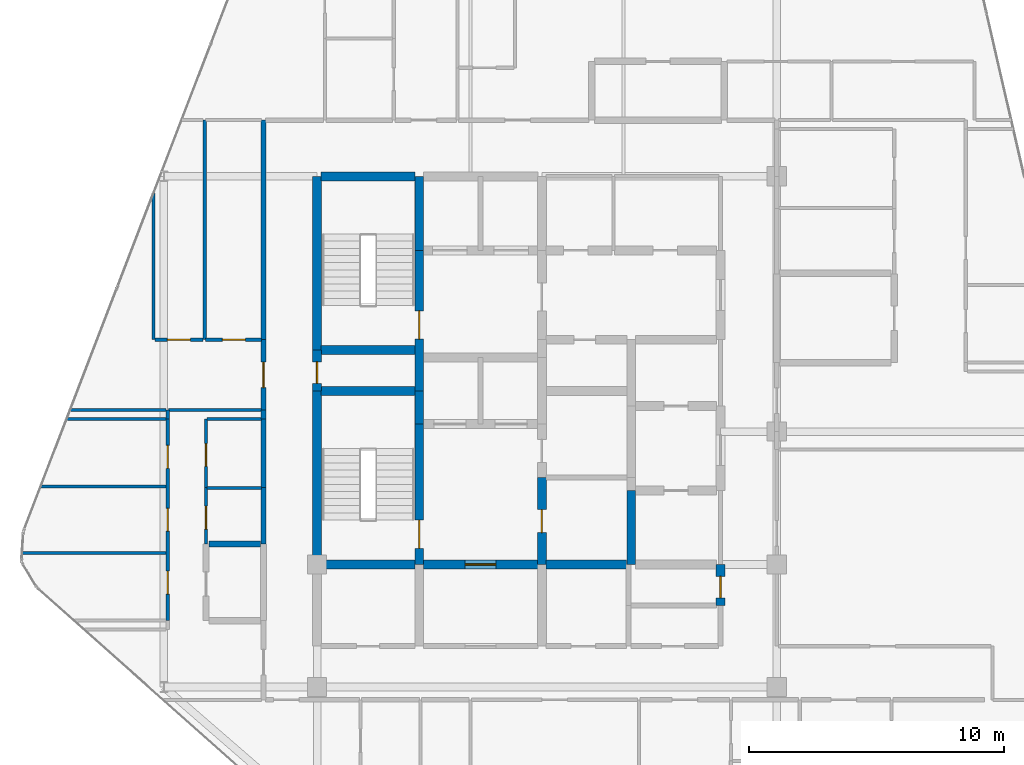
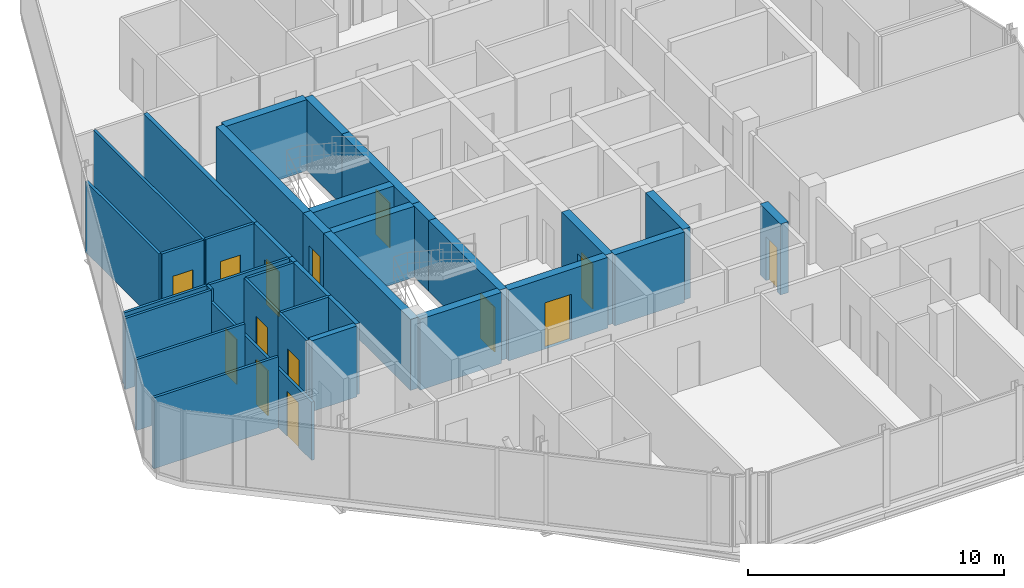
# One storey, part 26 of 31: 37 walls, 14 doors, 14 openings.
"""IFC4 building model written with IfcOpenShell, lengths in metres."""

from ifc_helpers import new_model, si_unit, direction, frame, frame_2d, origin, place, context, subcontext, project, spatial, rectangle, extrude, material, layer, layer_set, type_object, element, fill, save


model = new_model("IFC4")

# Units and contexts
model_context = context("Model", 3, precision=1e-05, world=origin(), true_north=direction((0.0, 1.0)))
body_context = subcontext(model_context, "Body", "Model", "MODEL_VIEW")
ifc_project = project(units=[si_unit("LENGTHUNIT", "METRE"), si_unit("AREAUNIT", "SQUARE_METRE"), si_unit("VOLUMEUNIT", "CUBIC_METRE"), si_unit("PLANEANGLEUNIT", "RADIAN"), si_unit("MASSUNIT", "GRAM", prefix="KILO")], contexts=[model_context])

# Site, building, storey
site_placement = place(None, origin())
site = spatial("IfcSite", under=ifc_project, at=site_placement, CompositionType="ELEMENT")
building_placement = place(site_placement, origin())
building = spatial("IfcBuilding", under=site, at=building_placement, Name="Keshet Zoharim Tower", CompositionType="ELEMENT")
storey_placement = place(building_placement, frame((0.0, 0.0, 276.89990234375)))
storey = spatial("IfcBuildingStorey", under=building, at=storey_placement, Name="L69", CompositionType="ELEMENT", Elevation=276.89990234375)

# Wall
ifc_material_1 = material(Name="Concrete C60/75", Category="concrete")
ifc_layer_1 = layer(ifc_material_1, 0.35009765625)
ifc_layer_set_1 = layer_set([ifc_layer_1], Name="Concrete C60/75")
wall_type_1 = type_object("IfcWallType", Name="WL-CORE-350", PredefinedType="SHEAR", material=ifc_layer_set_1)
wall_1_placement = place(storey_placement, frame((15.0, 22.699951171875, 0.0), z_axis=(0.0, 0.0, 1.0), x_axis=(0.0, 1.0, 0.0)))
element("IfcWall", 1, at=wall_1_placement, inside=storey, type_object=wall_type_1, Name="L69 Core Shear Wall 017", PredefinedType="SHEAR", context=body_context, shape_type="SweptSolid", body=[
    extrude(rectangle(XDim=6.800048828125, YDim=0.35009765625, at=frame_2d((3.39990234375, 0.0))), origin(), (0.0, 0.0, 1.0), 3.39013671875),
])

# Wall, opening, door
wall_2_placement = place(storey_placement, frame((15.0, 29.5, 0.0), z_axis=(0.0, 0.0, 1.0), x_axis=(0.0, 1.0, 0.0)))
wall_2 = element("IfcWall", 2, at=wall_2_placement, inside=storey, type_object=wall_type_1, Name="L69 Core Shear Wall 018", PredefinedType="SHEAR", context=body_context, shape_type="SweptSolid", body=[
    extrude(rectangle(XDim=1.60009765625, YDim=0.35009765625, at=frame_2d((0.800048828125, 0.0))), origin(), (0.0, 0.0, 1.0), 3.39013671875),
])
opening_1_placement = place(wall_2_placement, frame((0.287109375, 0.0, 0.0)))
opening_1 = element("IfcOpeningElement", 3, at=opening_1_placement, cuts=wall_2, Name="Opening D-RS85", PredefinedType="OPENING", context=body_context, shape_type="SweptSolid", body=[
    extrude(rectangle(XDim=0.85009765625, YDim=2.10009765625, at=frame_2d((0.425048828125, 1.050048828125))), frame((0.0, 0.18505859375, 0.0), z_axis=(0.0, -1.0, 0.0), x_axis=(1.0, 0.0, 0.0)), (0.0, 0.0, 1.0), 0.3701171875),
])
ifc_material_2 = material(Name="Hardwood Timber", Category="wood")
door_type_1 = type_object("IfcDoorType", Name="DR-RIS-085", OperationType="NOTDEFINED", PredefinedType="DOOR", material=ifc_material_2)
door_1_placement = place(opening_1_placement, origin())
door_1 = element("IfcDoor", 4, at=door_1_placement, inside=storey, type_object=door_type_1, Name="L69 Electrical Riser Access Cupboard Door", OperationType="SINGLE_SWING_RIGHT", OverallHeight=2.10009765625, OverallWidth=0.85009765625, PredefinedType="DOOR", context=body_context, shape_type="SweptSolid", body=[
    extrude(rectangle(XDim=0.85009765625, YDim=2.10009765625, at=frame_2d((0.425048828125, 1.050048828125))), frame((0.0, 0.02490234375, 0.0), z_axis=(0.0, -1.0, 0.0), x_axis=(1.0, 0.0, 0.0)), (0.0, 0.0, 1.0), 0.050048828125),
])
fill(opening_1, door_1)

# Wall
wall_3_placement = place(storey_placement, frame((15.0, 31.10009765625, 0.0), z_axis=(0.0, 0.0, 1.0), x_axis=(0.0, 1.0, 0.0)))
element("IfcWall", 5, at=wall_3_placement, inside=storey, type_object=wall_type_1, Name="L69 Core Shear Wall 019", PredefinedType="SHEAR", context=body_context, shape_type="SweptSolid", body=[
    extrude(rectangle(XDim=6.7998046875, YDim=0.35009765625, at=frame_2d((3.39990234375, 0.0))), origin(), (0.0, 0.0, 1.0), 3.39013671875),
])

# Wall, opening, door
wall_4_placement = place(storey_placement, frame((19.0, 22.699951171875, 0.0), z_axis=(0.0, 0.0, 1.0), x_axis=(0.0, 1.0, 0.0)))
wall_4 = element("IfcWall", 6, at=wall_4_placement, inside=storey, type_object=wall_type_1, Name="L69 Core Shear Wall 027", PredefinedType="SHEAR", context=body_context, shape_type="SweptSolid", body=[
    extrude(rectangle(XDim=5.5, YDim=0.35009765625, at=frame_2d((2.75, 0.0))), origin(), (0.0, 0.0, 1.0), 3.39013671875),
])
opening_2_placement = place(wall_4_placement, frame((0.631103515625, 0.0, 0.0)))
opening_2 = element("IfcOpeningElement", 7, at=opening_2_placement, cuts=wall_4, Name="Opening D-F611", PredefinedType="OPENING", context=body_context, shape_type="SweptSolid", body=[
    extrude(rectangle(XDim=1.10009765625, YDim=2.14990234375, at=frame_2d((0.550048828125, 1.074951171875))), frame((0.0, 0.18505859375, 0.0), z_axis=(0.0, -1.0, 0.0), x_axis=(1.0, 0.0, 0.0)), (0.0, 0.0, 1.0), 0.3701171875),
])
door_type_2 = type_object("IfcDoorType", Name="DR-FD60-110", OperationType="NOTDEFINED", PredefinedType="DOOR", material=ifc_material_2)
door_2_placement = place(opening_2_placement, origin())
door_2 = element("IfcDoor", 8, at=door_2_placement, inside=storey, type_object=door_type_2, Name="L69 Exit Stair ST-01 Fire Door", OperationType="SINGLE_SWING_RIGHT", OverallHeight=2.14990234375, OverallWidth=1.10009765625, PredefinedType="DOOR", context=body_context, shape_type="SweptSolid", body=[
    extrude(rectangle(XDim=1.10009765625, YDim=2.14990234375, at=frame_2d((0.550048828125, 1.074951171875))), frame((0.0, 0.02490234375, 0.0), z_axis=(0.0, -1.0, 0.0), x_axis=(1.0, 0.0, 0.0)), (0.0, 0.0, 1.0), 0.050048828125),
])
fill(opening_2, door_2)

# Wall
wall_5_placement = place(storey_placement, frame((19.0, 28.199951171875, 0.0), z_axis=(0.0, 0.0, 1.0), x_axis=(0.0, 1.0, 0.0)))
element("IfcWall", 9, at=wall_5_placement, inside=storey, type_object=wall_type_1, Name="L69 Core Shear Wall 028", PredefinedType="SHEAR", context=body_context, shape_type="SweptSolid", body=[
    extrude(rectangle(XDim=1.300048828125, YDim=0.35009765625, at=frame_2d((0.64990234375, 0.0))), origin(), (0.0, 0.0, 1.0), 3.39013671875),
])

# Wall, opening, door
wall_6_placement = place(storey_placement, frame((19.0, 29.5, 0.0), z_axis=(0.0, 0.0, 1.0), x_axis=(0.0, 1.0, 0.0)))
wall_6 = element("IfcWall", 10, at=wall_6_placement, inside=storey, type_object=wall_type_1, Name="L69 Core Shear Wall 029", PredefinedType="SHEAR", context=body_context, shape_type="SweptSolid", body=[
    extrude(rectangle(XDim=5.5, YDim=0.35009765625, at=frame_2d((2.75, 0.0))), origin(), (0.0, 0.0, 1.0), 3.39013671875),
])
opening_3_placement = place(wall_6_placement, frame((2.02490234375, 0.0, 0.0)))
opening_3 = element("IfcOpeningElement", 11, at=opening_3_placement, cuts=wall_6, Name="Opening D-F611", PredefinedType="OPENING", context=body_context, shape_type="SweptSolid", body=[
    extrude(rectangle(XDim=1.10009765625, YDim=2.14990234375, at=frame_2d((0.550048828125, 1.074951171875))), frame((0.0, 0.18505859375, 0.0), z_axis=(0.0, -1.0, 0.0), x_axis=(1.0, 0.0, 0.0)), (0.0, 0.0, 1.0), 0.3701171875),
])
door_3_placement = place(opening_3_placement, origin())
door_3 = element("IfcDoor", 12, at=door_3_placement, inside=storey, type_object=door_type_2, Name="L69 Exit Stair ST-02 Fire Door", OperationType="SINGLE_SWING_LEFT", OverallHeight=2.14990234375, OverallWidth=1.10009765625, PredefinedType="DOOR", context=body_context, shape_type="SweptSolid", body=[
    extrude(rectangle(XDim=1.10009765625, YDim=2.14990234375, at=frame_2d((0.550048828125, 1.074951171875))), frame((0.0, 0.02490234375, 0.0), z_axis=(0.0, -1.0, 0.0), x_axis=(1.0, 0.0, 0.0)), (0.0, 0.0, 1.0), 0.050048828125),
])
fill(opening_3, door_3)

# Wall
wall_7_placement = place(storey_placement, frame((19.0, 35.0, 0.0), z_axis=(0.0, 0.0, 1.0), x_axis=(0.0, 1.0, 0.0)))
element("IfcWall", 13, at=wall_7_placement, inside=storey, type_object=wall_type_1, Name="L69 Core Shear Wall 030", PredefinedType="SHEAR", context=body_context, shape_type="SweptSolid", body=[
    extrude(rectangle(XDim=2.89990234375, YDim=0.35009765625, at=frame_2d((1.449951171875, 0.0))), origin(), (0.0, 0.0, 1.0), 3.39013671875),
])

# Wall, opening, door
wall_8_placement = place(storey_placement, frame((23.800048828125, 22.699951171875, 0.0), z_axis=(0.0, 0.0, 1.0), x_axis=(0.0, 1.0, 0.0)))
wall_8 = element("IfcWall", 14, at=wall_8_placement, inside=storey, type_object=wall_type_1, Name="L69 Core Shear Wall 041", PredefinedType="SHEAR", context=body_context, shape_type="SweptSolid", body=[
    extrude(rectangle(XDim=3.400146484375, YDim=0.35009765625, at=frame_2d((1.7001953125, 0.0))), origin(), (0.0, 0.0, 1.0), 3.39013671875),
])
opening_4_placement = place(wall_8_placement, frame((1.25, 0.0, 0.0)))
opening_4 = element("IfcOpeningElement", 15, at=opening_4_placement, cuts=wall_8, Name="Opening D-F690", PredefinedType="OPENING", context=body_context, shape_type="SweptSolid", body=[
    extrude(rectangle(XDim=0.89990234375, YDim=2.14990234375, at=frame_2d((0.449951171875, 1.074951171875))), frame((0.0, 0.18505859375, 0.0), z_axis=(0.0, -1.0, 0.0), x_axis=(1.0, 0.0, 0.0)), (0.0, 0.0, 1.0), 0.3701171875),
])
door_type_3 = type_object("IfcDoorType", Name="DR-FD60-090", OperationType="NOTDEFINED", PredefinedType="DOOR", material=ifc_material_2)
door_4_placement = place(opening_4_placement, origin())
door_4 = element("IfcDoor", 16, at=door_4_placement, inside=storey, type_object=door_type_3, Name="L69 Core Linen Store Door", OperationType="SINGLE_SWING_LEFT", OverallHeight=2.14990234375, OverallWidth=0.89990234375, PredefinedType="DOOR", context=body_context, shape_type="SweptSolid", body=[
    extrude(rectangle(XDim=0.89990234375, YDim=2.14990234375, at=frame_2d((0.449951171875, 1.074951171875))), frame((0.0, 0.02490234375, 0.0), z_axis=(0.0, -1.0, 0.0), x_axis=(1.0, 0.0, 0.0)), (0.0, 0.0, 1.0), 0.050048828125),
])
fill(opening_4, door_4)

# Wall
wall_9_placement = place(storey_placement, frame((27.300048828125, 22.699951171875, 0.0), z_axis=(0.0, 0.0, 1.0), x_axis=(0.0, 1.0, 0.0)))
element("IfcWall", 17, at=wall_9_placement, inside=storey, type_object=wall_type_1, Name="L69 Core Shear Wall 054", PredefinedType="SHEAR", context=body_context, shape_type="SweptSolid", body=[
    extrude(rectangle(XDim=2.900146484375, YDim=0.35009765625, at=frame_2d((1.4501953125, 0.0))), origin(), (0.0, 0.0, 1.0), 3.39013671875),
])

# Wall, opening, door
wall_10_placement = place(storey_placement, frame((30.800048828125, 21.10009765625, 0.0), z_axis=(0.0, 0.0, 1.0), x_axis=(0.0, 1.0, 0.0)))
wall_10 = element("IfcWall", 18, at=wall_10_placement, inside=storey, type_object=wall_type_1, Name="L69 Core Shear Wall 062", PredefinedType="SHEAR", context=body_context, shape_type="SweptSolid", body=[
    extrude(rectangle(XDim=1.599853515625, YDim=0.35009765625, at=frame_2d((0.7998046875, 0.0))), origin(), (0.0, 0.0, 1.0), 3.39013671875),
])
opening_5_placement = place(wall_10_placement, frame((0.287109375, 0.0, 0.0)))
opening_5 = element("IfcOpeningElement", 19, at=opening_5_placement, cuts=wall_10, Name="Opening D-RS85", PredefinedType="OPENING", context=body_context, shape_type="SweptSolid", body=[
    extrude(rectangle(XDim=0.85009765625, YDim=2.10009765625, at=frame_2d((0.425048828125, 1.050048828125))), frame((0.0, 0.18505859375, 0.0), z_axis=(0.0, -1.0, 0.0), x_axis=(1.0, 0.0, 0.0)), (0.0, 0.0, 1.0), 0.3701171875),
])
door_5_placement = place(opening_5_placement, origin())
door_5 = element("IfcDoor", 20, at=door_5_placement, inside=storey, type_object=door_type_1, Name="L69 Linen Store Door", OperationType="SINGLE_SWING_RIGHT", OverallHeight=2.10009765625, OverallWidth=0.85009765625, PredefinedType="DOOR", context=body_context, shape_type="SweptSolid", body=[
    extrude(rectangle(XDim=0.85009765625, YDim=2.10009765625, at=frame_2d((0.425048828125, 1.050048828125))), frame((0.0, 0.02490234375, 0.0), z_axis=(0.0, -1.0, 0.0), x_axis=(1.0, 0.0, 0.0)), (0.0, 0.0, 1.0), 0.050048828125),
])
fill(opening_5, door_5)

# Wall
wall_11_placement = place(storey_placement, frame((15.159912109375, 22.699951171875, 0.0), z_axis=(0.0, 0.0, 1.0), x_axis=(1.0, 0.0, 0.0)))
element("IfcWall", 21, at=wall_11_placement, inside=storey, type_object=wall_type_1, Name="L69 Core Shear Wall 121", PredefinedType="SHEAR", context=body_context, shape_type="SweptSolid", body=[
    extrude(rectangle(XDim=3.68017578125, YDim=0.35009765625, at=frame_2d((1.840087890625, 0.0))), origin(), (0.0, 0.0, 1.0), 3.39013671875),
])

# Wall, opening, door
wall_12_placement = place(storey_placement, frame((19.159912109375, 22.699951171875, 0.0), z_axis=(0.0, 0.0, 1.0), x_axis=(1.0, 0.0, 0.0)))
wall_12 = element("IfcWall", 22, at=wall_12_placement, inside=storey, type_object=wall_type_1, Name="L69 Core Shear Wall 122", PredefinedType="SHEAR", context=body_context, shape_type="SweptSolid", body=[
    extrude(rectangle(XDim=4.47998046875, YDim=0.35009765625, at=frame_2d((2.239990234375, 0.0))), origin(), (0.0, 0.0, 1.0), 3.39013671875),
])
opening_6_placement = place(wall_12_placement, frame((1.639892578125, 0.0, 0.0)))
opening_6 = element("IfcOpeningElement", 23, at=opening_6_placement, cuts=wall_12, Name="Opening D-F612", PredefinedType="OPENING", context=body_context, shape_type="SweptSolid", body=[
    extrude(rectangle(XDim=1.199951171875, YDim=2.199951171875, at=frame_2d((0.60009765625, 1.10009765625))), frame((0.0, 0.18505859375, 0.0), z_axis=(0.0, -1.0, 0.0), x_axis=(1.0, 0.0, 0.0)), (0.0, 0.0, 1.0), 0.3701171875),
])
door_type_4 = type_object("IfcDoorType", Name="DR-FD60-120", OperationType="NOTDEFINED", PredefinedType="DOOR", material=ifc_material_2)
door_6_placement = place(opening_6_placement, origin())
door_6 = element("IfcDoor", 24, at=door_6_placement, inside=storey, type_object=door_type_4, Name="L69 South Core Lobby Fire Door", OperationType="SINGLE_SWING_LEFT", OverallHeight=2.199951171875, OverallWidth=1.199951171875, PredefinedType="DOOR", context=body_context, shape_type="SweptSolid", body=[
    extrude(rectangle(XDim=1.199951171875, YDim=2.199951171875, at=frame_2d((0.60009765625, 1.10009765625))), frame((0.0, 0.02490234375, 0.0), z_axis=(0.0, -1.0, 0.0), x_axis=(1.0, 0.0, 0.0)), (0.0, 0.0, 1.0), 0.050048828125),
])
fill(opening_6, door_6)

# Walls
wall_13_placement = place(storey_placement, frame((23.9599609375, 22.699951171875, 0.0), z_axis=(0.0, 0.0, 1.0), x_axis=(1.0, 0.0, 0.0)))
element("IfcWall", 25, at=wall_13_placement, inside=storey, type_object=wall_type_1, Name="L69 Core Shear Wall 123", PredefinedType="SHEAR", context=body_context, shape_type="SweptSolid", body=[
    extrude(rectangle(XDim=3.155029296875, YDim=0.35009765625, at=frame_2d((1.57763671875, 0.0))), origin(), (0.0, 0.0, 1.0), 3.39013671875),
])
for number, where, z_axis, x_axis, name in (
    (26, (15.159912109375, 29.5, 0.0), (0.0, 0.0, 1.0), (1.0, 0.0, 0.0), "L69 Core Shear Wall 138"),
    (27, (15.159912109375, 31.10009765625, 0.0), (0.0, 0.0, 1.0), (1.0, 0.0, 0.0), "L69 Core Shear Wall 144"),
    (28, (15.159912109375, 37.89990234375, 0.0), (0.0, 0.0, 1.0), (1.0, 0.0, 0.0), "L69 Core Shear Wall 155"),
):
    element("IfcWall", number, at=place(storey_placement, frame(where, z_axis=z_axis, x_axis=x_axis)), inside=storey, type_object=wall_type_1, Name=name, PredefinedType="SHEAR", context=body_context, shape_type="SweptSolid", body=[
        extrude(rectangle(XDim=3.68017578125, YDim=0.35009765625, at=frame_2d((1.840087890625, 0.0))), origin(), (0.0, 0.0, 1.0), 3.39013671875),
    ])
ifc_material_3 = material(Name="Gypsum Plasterboard", Category="gypsum")
ifc_layer_2 = layer(ifc_material_3, 0.179931640625)
ifc_layer_set_2 = layer_set([ifc_layer_2], Name="Gypsum Plasterboard")
wall_type_2 = type_object("IfcWallType", Name="WL-CORR-180", PredefinedType="STANDARD", material=ifc_layer_set_2)
wall_14_placement = place(storey_placement, frame((12.89990234375, 23.501953125, 0.0), z_axis=(0.0, 0.0, 1.0), x_axis=(0.0, 1.0, 0.0)))
element("IfcWall", 29, at=wall_14_placement, inside=storey, type_object=wall_type_2, Name="L69 Interior Wall 011", PredefinedType="STANDARD", context=body_context, shape_type="SweptSolid", body=[
    extrude(rectangle(XDim=2.212158203125, YDim=0.179931640625, at=frame_2d((1.10595703125, 0.0))), origin(), (0.0, 0.0, 1.0), 3.39013671875),
])
wall_15_placement = place(storey_placement, frame((12.89990234375, 25.714111328125, 0.0), z_axis=(0.0, 0.0, 1.0), x_axis=(0.0, 1.0, 0.0)))
element("IfcWall", 30, at=wall_15_placement, inside=storey, type_object=wall_type_2, Name="L69 Interior Wall 012", PredefinedType="STANDARD", context=body_context, shape_type="SweptSolid", body=[
    extrude(rectangle(XDim=2.685791015625, YDim=0.179931640625, at=frame_2d((1.3427734375, 0.0))), origin(), (0.0, 0.0, 1.0), 3.39013671875),
])
wall_16_placement = place(storey_placement, frame((12.89990234375, 28.39990234375, 0.0), z_axis=(0.0, 0.0, 1.0), x_axis=(0.0, 1.0, 0.0)))
element("IfcWall", 31, at=wall_16_placement, inside=storey, type_object=wall_type_2, Name="L69 Interior Wall 013", PredefinedType="STANDARD", context=body_context, shape_type="SweptSolid", body=[
    extrude(rectangle(XDim=0.35009765625, YDim=0.179931640625, at=frame_2d((0.175048828125, 0.0))), origin(), (0.0, 0.0, 1.0), 3.39013671875),
])

# Wall, opening, door
wall_17_placement = place(storey_placement, frame((12.89990234375, 28.75, 0.0), z_axis=(0.0, 0.0, 1.0), x_axis=(0.0, 1.0, 0.0)))
wall_17 = element("IfcWall", 32, at=wall_17_placement, inside=storey, type_object=wall_type_2, Name="L69 Interior Wall 014", PredefinedType="STANDARD", context=body_context, shape_type="SweptSolid", body=[
    extrude(rectangle(XDim=2.75, YDim=0.179931640625, at=frame_2d((1.375, 0.0))), origin(), (0.0, 0.0, 1.0), 3.39013671875),
])
opening_7_placement = place(wall_17_placement, frame((0.875, 0.0, 0.0)))
opening_7 = element("IfcOpeningElement", 33, at=opening_7_placement, cuts=wall_17, Name="Opening D-F310", PredefinedType="OPENING", context=body_context, shape_type="SweptSolid", body=[
    extrude(rectangle(XDim=1.0, YDim=2.14990234375, at=frame_2d((0.5, 1.074951171875))), frame((0.0, 0.10009765625, 0.0), z_axis=(0.0, -1.0, 0.0), x_axis=(1.0, 0.0, 0.0)), (0.0, 0.0, 1.0), 0.199951171875),
])
door_type_5 = type_object("IfcDoorType", Name="DR-FD30-100", OperationType="NOTDEFINED", PredefinedType="DOOR", material=ifc_material_2)
door_7_placement = place(opening_7_placement, origin())
door_7 = element("IfcDoor", 34, at=door_7_placement, inside=storey, type_object=door_type_5, Name="Apartment 6907 Entrance Door", OperationType="SINGLE_SWING_LEFT", OverallHeight=2.14990234375, OverallWidth=1.0, PredefinedType="DOOR", context=body_context, shape_type="SweptSolid", body=[
    extrude(rectangle(XDim=1.0, YDim=2.14990234375, at=frame_2d((0.5, 1.074951171875))), frame((0.0, 0.02490234375, 0.0), z_axis=(0.0, -1.0, 0.0), x_axis=(1.0, 0.0, 0.0)), (0.0, 0.0, 1.0), 0.050048828125),
])
fill(opening_7, door_7)

# Walls
wall_18_placement = place(storey_placement, frame((12.89990234375, 31.5, 0.0), z_axis=(0.0, 0.0, 1.0), x_axis=(0.0, 1.0, 0.0)))
element("IfcWall", 35, at=wall_18_placement, inside=storey, type_object=wall_type_2, Name="L69 Interior Wall 015", PredefinedType="STANDARD", context=body_context, shape_type="SweptSolid", body=[
    extrude(rectangle(XDim=8.60009765625, YDim=0.179931640625, at=frame_2d((4.300048828125, 0.0))), origin(), (0.0, 0.0, 1.0), 3.39013671875),
])
ifc_material_4 = material(Name="Concrete C50/60", Category="concrete")
ifc_layer_3 = layer(ifc_material_4, 0.25)
ifc_layer_set_3 = layer_set([ifc_layer_3], Name="Concrete C50/60")
wall_type_3 = type_object("IfcWallType", Name="WL-MAMAD-250", PredefinedType="STANDARD", material=ifc_layer_set_3)
wall_19_placement = place(storey_placement, frame((10.760009765625, 23.5, 0.0), z_axis=(0.0, 0.0, 1.0), x_axis=(1.0, 0.0, 0.0)))
element("IfcWall", 36, at=wall_19_placement, inside=storey, type_object=wall_type_3, Name="L69 Interior Wall 126", PredefinedType="STANDARD", context=body_context, shape_type="SweptSolid", body=[
    extrude(rectangle(XDim=2.030029296875, YDim=0.25, at=frame_2d((1.01513671875, 0.0))), origin(), (0.0, 0.0, 1.0), 3.39013671875),
])
ifc_layer_4 = layer(ifc_material_3, 0.1201171875)
ifc_layer_set_4 = layer_set([ifc_layer_4], Name="Gypsum Plasterboard")
wall_type_4 = type_object("IfcWallType", Name="WL-PART-120", PredefinedType="PARTITIONING", material=ifc_layer_set_4)
wall_20_placement = place(storey_placement, frame((8.60009765625, 31.5, 0.0), z_axis=(0.0, 0.0, 1.0), x_axis=(0.0, 1.0, 0.0)))
element("IfcWall", 37, at=wall_20_placement, inside=storey, type_object=wall_type_4, Name="L69 Interior Wall 001", PredefinedType="PARTITIONING", context=body_context, shape_type="SweptSolid", body=[
    extrude(rectangle(XDim=5.75, YDim=0.1201171875, at=frame_2d((2.875, 0.0))), origin(), (0.0, 0.0, 1.0), 3.39013671875),
])

# Wall, openings, doors
wall_21_placement = place(storey_placement, frame((9.14990234375, 20.5, 0.0), z_axis=(0.0, 0.0, 1.0), x_axis=(0.0, 1.0, 0.0)))
wall_21 = element("IfcWall", 38, at=wall_21_placement, inside=storey, type_object=wall_type_4, Name="L69 Interior Wall 003", PredefinedType="PARTITIONING", context=body_context, shape_type="SweptSolid", body=[
    extrude(rectangle(XDim=7.89990234375, YDim=0.1201171875, at=frame_2d((3.949951171875, 0.0))), origin(), (0.0, 0.0, 1.0), 2.7900390625),
])
opening_8_placement = place(wall_21_placement, frame((1.041015625, 0.0, 0.0)))
opening_8 = element("IfcOpeningElement", 39, at=opening_8_placement, cuts=wall_21, Name="Opening D-IN90", PredefinedType="OPENING", context=body_context, shape_type="SweptSolid", body=[
    extrude(rectangle(XDim=0.89990234375, YDim=2.14990234375, at=frame_2d((0.449951171875, 1.074951171875))), frame((0.0, 0.070068359375, 0.0), z_axis=(0.0, -1.0, 0.0), x_axis=(1.0, 0.0, 0.0)), (0.0, 0.0, 1.0), 0.14013671875),
])
opening_9_placement = place(wall_21_placement, frame((3.5, 0.0, 0.0)))
opening_9 = element("IfcOpeningElement", 40, at=opening_9_placement, cuts=wall_21, Name="Opening D-IN90", PredefinedType="OPENING", context=body_context, shape_type="SweptSolid", body=[
    extrude(rectangle(XDim=0.89990234375, YDim=2.14990234375, at=frame_2d((0.449951171875, 1.074951171875))), frame((0.0, 0.070068359375, 0.0), z_axis=(0.0, -1.0, 0.0), x_axis=(1.0, 0.0, 0.0)), (0.0, 0.0, 1.0), 0.14013671875),
])
opening_10_placement = place(wall_21_placement, frame((5.958984375, 0.0, 0.0)))
opening_10 = element("IfcOpeningElement", 41, at=opening_10_placement, cuts=wall_21, Name="Opening D-IN90", PredefinedType="OPENING", context=body_context, shape_type="SweptSolid", body=[
    extrude(rectangle(XDim=0.89990234375, YDim=2.14990234375, at=frame_2d((0.449951171875, 1.074951171875))), frame((0.0, 0.070068359375, 0.0), z_axis=(0.0, -1.0, 0.0), x_axis=(1.0, 0.0, 0.0)), (0.0, 0.0, 1.0), 0.14013671875),
])
door_type_6 = type_object("IfcDoorType", Name="DR-INT-090", OperationType="NOTDEFINED", PredefinedType="DOOR", material=ifc_material_2)
door_8_placement = place(opening_8_placement, origin())
door_8 = element("IfcDoor", 42, at=door_8_placement, inside=storey, type_object=door_type_6, Name="Apartment 6906 Bedroom 1 Door", OperationType="SINGLE_SWING_RIGHT", OverallHeight=2.14990234375, OverallWidth=0.89990234375, PredefinedType="DOOR", context=body_context, shape_type="SweptSolid", body=[
    extrude(rectangle(XDim=0.89990234375, YDim=2.14990234375, at=frame_2d((0.449951171875, 1.074951171875))), frame((0.0, 0.02490234375, 0.0), z_axis=(0.0, -1.0, 0.0), x_axis=(1.0, 0.0, 0.0)), (0.0, 0.0, 1.0), 0.050048828125),
])
fill(opening_8, door_8)
door_9_placement = place(opening_9_placement, origin())
door_9 = element("IfcDoor", 43, at=door_9_placement, inside=storey, type_object=door_type_6, Name="Apartment 6906 Bedroom 2 Door", OperationType="SINGLE_SWING_LEFT", OverallHeight=2.14990234375, OverallWidth=0.89990234375, PredefinedType="DOOR", context=body_context, shape_type="SweptSolid", body=[
    extrude(rectangle(XDim=0.89990234375, YDim=2.14990234375, at=frame_2d((0.449951171875, 1.074951171875))), frame((0.0, 0.02490234375, 0.0), z_axis=(0.0, -1.0, 0.0), x_axis=(1.0, 0.0, 0.0)), (0.0, 0.0, 1.0), 0.050048828125),
])
fill(opening_9, door_9)
door_10_placement = place(opening_10_placement, origin())
door_10 = element("IfcDoor", 44, at=door_10_placement, inside=storey, type_object=door_type_6, Name="Apartment 6906 Bedroom 3 Door", OperationType="SINGLE_SWING_RIGHT", OverallHeight=2.14990234375, OverallWidth=0.89990234375, PredefinedType="DOOR", context=body_context, shape_type="SweptSolid", body=[
    extrude(rectangle(XDim=0.89990234375, YDim=2.14990234375, at=frame_2d((0.449951171875, 1.074951171875))), frame((0.0, 0.02490234375, 0.0), z_axis=(0.0, -1.0, 0.0), x_axis=(1.0, 0.0, 0.0)), (0.0, 0.0, 1.0), 0.050048828125),
])
fill(opening_10, door_10)

# Wall
wall_22_placement = place(storey_placement, frame((9.14990234375, 28.39990234375, 0.0), z_axis=(0.0, 0.0, 1.0), x_axis=(0.0, 1.0, 0.0)))
element("IfcWall", 45, at=wall_22_placement, inside=storey, type_object=wall_type_4, Name="L69 Interior Wall 004", PredefinedType="PARTITIONING", context=body_context, shape_type="SweptSolid", body=[
    extrude(rectangle(XDim=0.35009765625, YDim=0.1201171875, at=frame_2d((0.175048828125, 0.0))), origin(), (0.0, 0.0, 1.0), 3.39013671875),
])

# Wall, opening, door
wall_23_placement = place(storey_placement, frame((10.64990234375, 25.714111328125, 0.0), z_axis=(0.0, 0.0, 1.0), x_axis=(0.0, 1.0, 0.0)))
wall_23 = element("IfcWall", 46, at=wall_23_placement, inside=storey, type_object=wall_type_4, Name="L69 Interior Wall 008", PredefinedType="PARTITIONING", context=body_context, shape_type="SweptSolid", body=[
    extrude(rectangle(XDim=2.685791015625, YDim=0.1201171875, at=frame_2d((1.3427734375, 0.0))), origin(), (0.0, 0.0, 1.0), 3.39013671875),
])
opening_11_placement = place(wall_23_placement, frame((0.822021484375, 0.0, 0.0)))
opening_11 = element("IfcOpeningElement", 47, at=opening_11_placement, cuts=wall_23, Name="Opening D-IN90", PredefinedType="OPENING", context=body_context, shape_type="SweptSolid", body=[
    extrude(rectangle(XDim=0.89990234375, YDim=2.14990234375, at=frame_2d((0.449951171875, 1.074951171875))), frame((0.0, 0.070068359375, 0.0), z_axis=(0.0, -1.0, 0.0), x_axis=(1.0, 0.0, 0.0)), (0.0, 0.0, 1.0), 0.14013671875),
])
door_11_placement = place(opening_11_placement, origin())
door_11 = element("IfcDoor", 48, at=door_11_placement, inside=storey, type_object=door_type_6, Name="Apartment 6906 Kitchen Door", OperationType="SINGLE_SWING_LEFT", OverallHeight=2.14990234375, OverallWidth=0.89990234375, PredefinedType="DOOR", context=body_context, shape_type="SweptSolid", body=[
    extrude(rectangle(XDim=0.89990234375, YDim=2.14990234375, at=frame_2d((0.449951171875, 1.074951171875))), frame((0.0, 0.02490234375, 0.0), z_axis=(0.0, -1.0, 0.0), x_axis=(1.0, 0.0, 0.0)), (0.0, 0.0, 1.0), 0.050048828125),
])
fill(opening_11, door_11)

# Walls
wall_24_placement = place(storey_placement, frame((3.451904296875, 23.14990234375, 0.0), z_axis=(0.0, 0.0, 1.0), x_axis=(1.0, 0.0, 0.0)))
element("IfcWall", 49, at=wall_24_placement, inside=storey, type_object=wall_type_4, Name="L69 Interior Wall 125", PredefinedType="PARTITIONING", context=body_context, shape_type="SweptSolid", body=[
    extrude(rectangle(XDim=5.633056640625, YDim=0.1201171875, at=frame_2d((2.81640625, 0.0))), origin(), (0.0, 0.0, 1.0), 3.39013671875),
])
wall_25_placement = place(storey_placement, frame((4.18310546875, 25.75, 0.0), z_axis=(0.0, 0.0, 1.0), x_axis=(1.0, 0.0, 0.0)))
element("IfcWall", 50, at=wall_25_placement, inside=storey, type_object=wall_type_4, Name="L69 Interior Wall 129", PredefinedType="PARTITIONING", context=body_context, shape_type="SweptSolid", body=[
    extrude(rectangle(XDim=4.90185546875, YDim=0.1201171875, at=frame_2d((2.450927734375, 0.0))), origin(), (0.0, 0.0, 1.0), 3.39013671875),
])
wall_26_placement = place(storey_placement, frame((5.201904296875, 28.39990234375, 0.0), z_axis=(0.0, 0.0, 1.0), x_axis=(1.0, 0.0, 0.0)))
element("IfcWall", 51, at=wall_26_placement, inside=storey, type_object=wall_type_4, Name="L69 Interior Wall 133", PredefinedType="PARTITIONING", context=body_context, shape_type="SweptSolid", body=[
    extrude(rectangle(XDim=3.883056640625, YDim=0.1201171875, at=frame_2d((1.94140625, 0.0))), origin(), (0.0, 0.0, 1.0), 3.39013671875),
])
wall_27_placement = place(storey_placement, frame((10.695068359375, 28.39990234375, 0.0), z_axis=(0.0, 0.0, 1.0), x_axis=(1.0, 0.0, 0.0)))
element("IfcWall", 52, at=wall_27_placement, inside=storey, type_object=wall_type_4, Name="L69 Interior Wall 134", PredefinedType="PARTITIONING", context=body_context, shape_type="SweptSolid", body=[
    extrude(rectangle(XDim=2.1298828125, YDim=0.1201171875, at=frame_2d((1.06494140625, 0.0))), origin(), (0.0, 0.0, 1.0), 3.39013671875),
])
wall_28_placement = place(storey_placement, frame((5.3369140625, 28.75, 0.0), z_axis=(0.0, 0.0, 1.0), x_axis=(1.0, 0.0, 0.0)))
element("IfcWall", 53, at=wall_28_placement, inside=storey, type_object=wall_type_4, Name="L69 Interior Wall 135", PredefinedType="PARTITIONING", context=body_context, shape_type="SweptSolid", body=[
    extrude(rectangle(XDim=3.748046875, YDim=0.1201171875, at=frame_2d((1.8740234375, 0.0))), origin(), (0.0, 0.0, 1.0), 3.39013671875),
])
wall_29_placement = place(storey_placement, frame((9.175048828125, 28.75, 0.0), z_axis=(0.0, 0.0, 1.0), x_axis=(1.0, 0.0, 0.0)))
element("IfcWall", 54, at=wall_29_placement, inside=storey, type_object=wall_type_4, Name="L69 Interior Wall 136", PredefinedType="PARTITIONING", context=body_context, shape_type="SweptSolid", body=[
    extrude(rectangle(XDim=3.64990234375, YDim=0.1201171875, at=frame_2d((1.824951171875, 0.0))), origin(), (0.0, 0.0, 1.0), 3.39013671875),
])

# Wall, opening, door
wall_30_placement = place(storey_placement, frame((8.64501953125, 31.5, 0.0), z_axis=(0.0, 0.0, 1.0), x_axis=(1.0, 0.0, 0.0)))
wall_30 = element("IfcWall", 55, at=wall_30_placement, inside=storey, type_object=wall_type_4, Name="L69 Interior Wall 145", PredefinedType="PARTITIONING", context=body_context, shape_type="SweptSolid", body=[
    extrude(rectangle(XDim=1.887939453125, YDim=0.1201171875, at=frame_2d((0.94384765625, 0.0))), origin(), (0.0, 0.0, 1.0), 3.39013671875),
])
opening_12_placement = place(wall_30_placement, frame((0.493896484375, 0.0, 0.0)))
opening_12 = element("IfcOpeningElement", 56, at=opening_12_placement, cuts=wall_30, Name="Opening D-IN90", PredefinedType="OPENING", context=body_context, shape_type="SweptSolid", body=[
    extrude(rectangle(XDim=0.89990234375, YDim=2.14990234375, at=frame_2d((0.449951171875, 1.074951171875))), frame((0.0, 0.070068359375, 0.0), z_axis=(0.0, -1.0, 0.0), x_axis=(1.0, 0.0, 0.0)), (0.0, 0.0, 1.0), 0.14013671875),
])
door_12_placement = place(opening_12_placement, origin())
door_12 = element("IfcDoor", 57, at=door_12_placement, inside=storey, type_object=door_type_6, Name="Apartment 6907 Kitchen Door", OperationType="SINGLE_SWING_RIGHT", OverallHeight=2.14990234375, OverallWidth=0.89990234375, PredefinedType="DOOR", context=body_context, shape_type="SweptSolid", body=[
    extrude(rectangle(XDim=0.89990234375, YDim=2.14990234375, at=frame_2d((0.449951171875, 1.074951171875))), frame((0.0, 0.02490234375, 0.0), z_axis=(0.0, -1.0, 0.0), x_axis=(1.0, 0.0, 0.0)), (0.0, 0.0, 1.0), 0.050048828125),
])
fill(opening_12, door_12)

# Wall
ifc_layer_5 = layer(ifc_material_3, 0.1201171875)
ifc_layer_set_5 = layer_set([ifc_layer_5], Name="Gypsum Plasterboard")
wall_type_5 = type_object("IfcWallType", Name="WL-WET-120", PredefinedType="PARTITIONING", material=ifc_layer_set_5)
wall_31_placement = place(storey_placement, frame((10.60009765625, 31.5, 0.0), z_axis=(0.0, 0.0, 1.0), x_axis=(0.0, 1.0, 0.0)))
element("IfcWall", 58, at=wall_31_placement, inside=storey, type_object=wall_type_5, Name="L69 Interior Wall 005", PredefinedType="PARTITIONING", context=body_context, shape_type="SweptSolid", body=[
    extrude(rectangle(XDim=8.60009765625, YDim=0.1201171875, at=frame_2d((4.300048828125, 0.0))), origin(), (0.0, 0.0, 1.0), 3.39013671875),
])

# Wall, opening, door
wall_32_placement = place(storey_placement, frame((10.64990234375, 23.501953125, 0.0), z_axis=(0.0, 0.0, 1.0), x_axis=(0.0, 1.0, 0.0)))
wall_32 = element("IfcWall", 59, at=wall_32_placement, inside=storey, type_object=wall_type_5, Name="L69 Interior Wall 007", PredefinedType="PARTITIONING", context=body_context, shape_type="SweptSolid", body=[
    extrude(rectangle(XDim=2.212158203125, YDim=0.1201171875, at=frame_2d((1.10595703125, 0.0))), origin(), (0.0, 0.0, 1.0), 3.39013671875),
])
opening_13_placement = place(wall_32_placement, frame((0.577880859375, 0.0, 0.0)))
opening_13 = element("IfcOpeningElement", 60, at=opening_13_placement, cuts=wall_32, Name="Opening D-WT90", PredefinedType="OPENING", context=body_context, shape_type="SweptSolid", body=[
    extrude(rectangle(XDim=0.89990234375, YDim=2.10009765625, at=frame_2d((0.449951171875, 1.050048828125))), frame((0.0, 0.070068359375, 0.0), z_axis=(0.0, -1.0, 0.0), x_axis=(1.0, 0.0, 0.0)), (0.0, 0.0, 1.0), 0.14013671875),
])
door_type_7 = type_object("IfcDoorType", Name="DR-WET-090", OperationType="NOTDEFINED", PredefinedType="DOOR", material=ifc_material_2)
door_13_placement = place(opening_13_placement, origin())
door_13 = element("IfcDoor", 61, at=door_13_placement, inside=storey, type_object=door_type_7, Name="Apartment 6906 Bathroom Door", OperationType="SINGLE_SWING_RIGHT", OverallHeight=2.10009765625, OverallWidth=0.89990234375, PredefinedType="DOOR", context=body_context, shape_type="SweptSolid", body=[
    extrude(rectangle(XDim=0.89990234375, YDim=2.10009765625, at=frame_2d((0.449951171875, 1.050048828125))), frame((0.0, 0.02490234375, 0.0), z_axis=(0.0, -1.0, 0.0), x_axis=(1.0, 0.0, 0.0)), (0.0, 0.0, 1.0), 0.050048828125),
])
fill(opening_13, door_13)

# Wall
wall_33_placement = place(storey_placement, frame((10.695068359375, 25.699951171875, 0.0), z_axis=(0.0, 0.0, 1.0), x_axis=(1.0, 0.0, 0.0)))
element("IfcWall", 62, at=wall_33_placement, inside=storey, type_object=wall_type_5, Name="L69 Interior Wall 128", PredefinedType="PARTITIONING", context=body_context, shape_type="SweptSolid", body=[
    extrude(rectangle(XDim=2.1298828125, YDim=0.1201171875, at=frame_2d((1.06494140625, 0.0))), origin(), (0.0, 0.0, 1.0), 3.39013671875),
])

# Wall, opening, door
wall_34_placement = place(storey_placement, frame((10.623046875, 31.5, 0.0), z_axis=(0.0, 0.0, 1.0), x_axis=(1.0, 0.0, 0.0)))
wall_34 = element("IfcWall", 63, at=wall_34_placement, inside=storey, type_object=wall_type_5, Name="L69 Interior Wall 146", PredefinedType="PARTITIONING", context=body_context, shape_type="SweptSolid", body=[
    extrude(rectangle(XDim=2.201904296875, YDim=0.1201171875, at=frame_2d((1.10107421875, 0.0))), origin(), (0.0, 0.0, 1.0), 3.39013671875),
])
opening_14_placement = place(wall_34_placement, frame((0.666015625, 0.0, 0.0)))
opening_14 = element("IfcOpeningElement", 64, at=opening_14_placement, cuts=wall_34, Name="Opening D-WT90", PredefinedType="OPENING", context=body_context, shape_type="SweptSolid", body=[
    extrude(rectangle(XDim=0.89990234375, YDim=2.10009765625, at=frame_2d((0.449951171875, 1.050048828125))), frame((0.0, 0.070068359375, 0.0), z_axis=(0.0, -1.0, 0.0), x_axis=(1.0, 0.0, 0.0)), (0.0, 0.0, 1.0), 0.14013671875),
])
door_14_placement = place(opening_14_placement, origin())
door_14 = element("IfcDoor", 65, at=door_14_placement, inside=storey, type_object=door_type_7, Name="Apartment 6907 Bathroom Door", OperationType="SINGLE_SWING_LEFT", OverallHeight=2.10009765625, OverallWidth=0.89990234375, PredefinedType="DOOR", context=body_context, shape_type="SweptSolid", body=[
    extrude(rectangle(XDim=0.89990234375, YDim=2.10009765625, at=frame_2d((0.449951171875, 1.050048828125))), frame((0.0, 0.02490234375, 0.0), z_axis=(0.0, -1.0, 0.0), x_axis=(1.0, 0.0, 0.0)), (0.0, 0.0, 1.0), 0.050048828125),
])
fill(opening_14, door_14)

save(model, "model.ifc")
